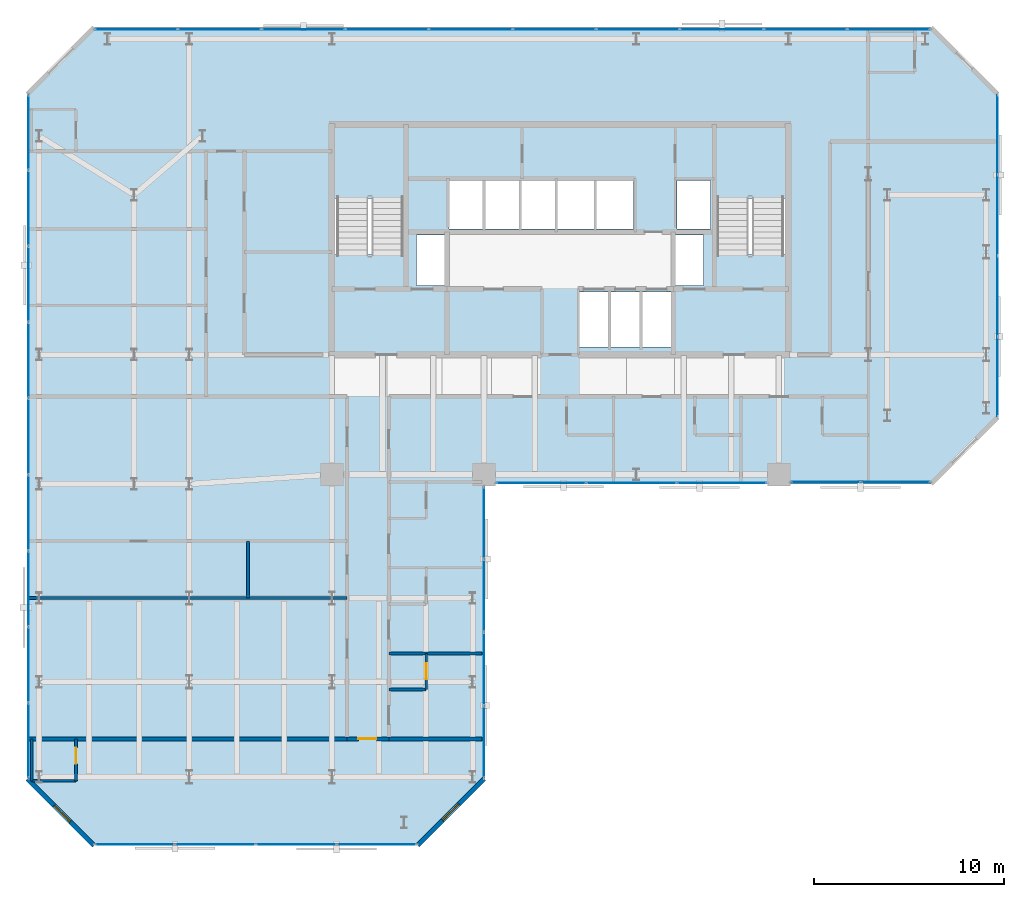
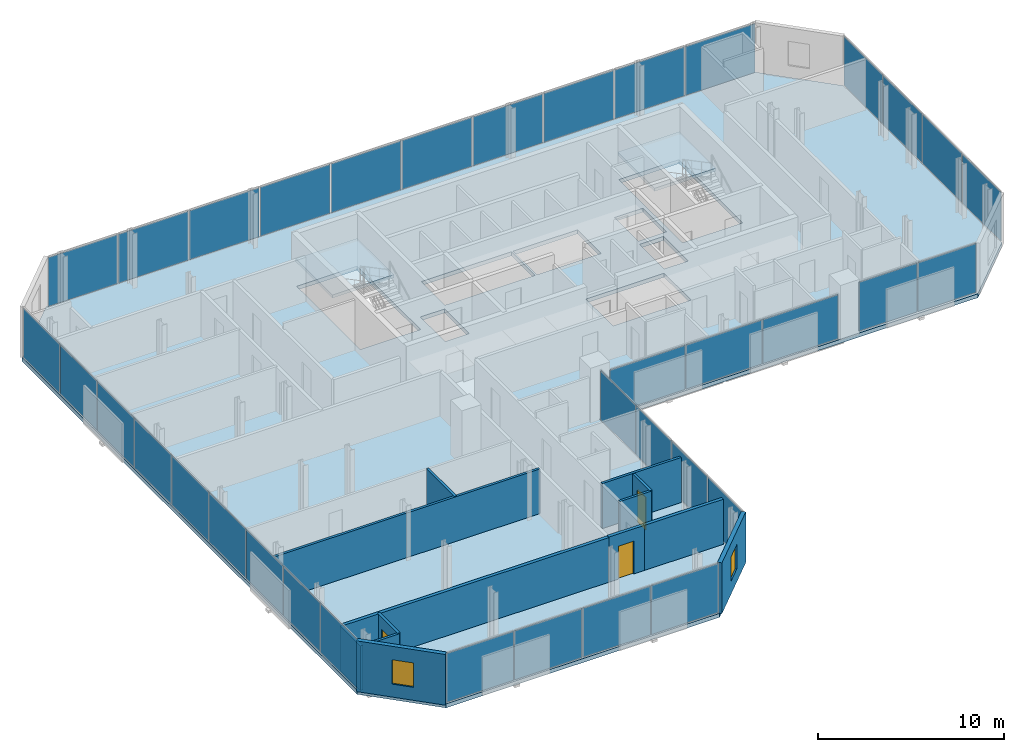
# One storey, part 27 of 32: 36 plates, 13 walls, 3 doors, 3 slabs, 2 windows, 5 openings, 9 elements without a shape of their own.
"""IFC4 building model written with IfcOpenShell, lengths in metres."""

from ifc_helpers import new_model, si_unit, direction, frame, frame_2d, origin, origin_2d, place, context, subcontext, project, spatial, polyline, rectangle, outline, extrude, material, layer, layer_set, type_object, element, fill, aggregate, save


model = new_model("IFC4")

# Units and contexts
model_context = context("Model", 3, precision=1e-05, world=origin(), true_north=direction((0.0, 1.0)))
body_context = subcontext(model_context, "Body", "Model", "MODEL_VIEW")
ifc_project = project(units=[si_unit("LENGTHUNIT", "METRE"), si_unit("AREAUNIT", "SQUARE_METRE"), si_unit("VOLUMEUNIT", "CUBIC_METRE"), si_unit("PLANEANGLEUNIT", "RADIAN"), si_unit("MASSUNIT", "GRAM", prefix="KILO")], contexts=[model_context])

# Site, building, storey
site_placement = place(None, origin())
site = spatial("IfcSite", under=ifc_project, at=site_placement, CompositionType="ELEMENT")
building_placement = place(site_placement, origin())
building = spatial("IfcBuilding", under=site, at=building_placement, Name="Catumbela Crestline Tower", CompositionType="ELEMENT")
storey_placement = place(building_placement, frame((0.0, 0.0, 133.2)))
storey = spatial("IfcBuildingStorey", under=building, at=storey_placement, Name="L34", CompositionType="ELEMENT", Elevation=133.2)

# Curtain wall, plates
ifc_material_1 = material(Name="Aluminium alloy AW-6060-T66", Category="aluminium")
ifc_layer_1 = layer(ifc_material_1, 0.18, Name="Aluminium alloy AW-6060-T66")
ifc_layer_set_1 = layer_set([ifc_layer_1], Name="Aluminium alloy AW-6060-T66")
curtain_wall_type = type_object("IfcCurtainWallType", Name="CWU-Z2", PredefinedType="USERDEFINED", material=ifc_layer_set_1)
curtain_wall_1_placement = place(storey_placement, origin())
curtain_wall_1 = element("IfcCurtainWall", 1, at=curtain_wall_1_placement, inside=storey, type_object=curtain_wall_type, Name="L34 Unitised Curtain Wall CW-L34-E0S1", ObjectType="UNITISED", PredefinedType="USERDEFINED")
ifc_material_2 = material(Name="Low-E laminated solar-control double glazing", Category="glass")
ifc_layer_2 = layer(ifc_material_2, 0.036, Name="Low-E laminated solar-control double glazing")
ifc_layer_set_2 = layer_set([ifc_layer_2], Name="Low-E laminated solar-control double glazing")
plate_type = type_object("IfcPlateType", Name="PNL-GLZ-Z2", PredefinedType="CURTAIN_PANEL", material=ifc_layer_set_2)
plate_1_placement = place(storey_placement, frame((5.6412, 5.05, 0.06), z_axis=(0.0, 0.0, 1.0), x_axis=(1.0, 0.0, 0.0)))
plate_1 = element("IfcPlate", 2, at=plate_1_placement, type_object=plate_type, Name="CWU-Z2 panel 1.1", PredefinedType="CURTAIN_PANEL", context=body_context, shape_type="SweptSolid", body=[
    extrude(rectangle(XDim=4.1525, YDim=0.034, at=origin_2d()), origin(), (0.0, 0.0, 1.0), 3.21),
])
plate_2_placement = place(storey_placement, frame((9.875, 5.05, 0.06), z_axis=(0.0, 0.0, 1.0), x_axis=(1.0, 0.0, 0.0)))
plate_2 = element("IfcPlate", 3, at=plate_2_placement, type_object=plate_type, Name="CWU-Z2 panel 2.1", PredefinedType="CURTAIN_PANEL", context=body_context, shape_type="SweptSolid", body=[
    extrude(rectangle(XDim=4.185, YDim=0.034, at=origin_2d()), origin(), (0.0, 0.0, 1.0), 3.21),
])
plate_3_placement = place(storey_placement, frame((14.125, 5.05, 0.06), z_axis=(0.0, 0.0, 1.0), x_axis=(1.0, 0.0, 0.0)))
plate_3 = element("IfcPlate", 4, at=plate_3_placement, type_object=plate_type, Name="CWU-Z2 panel 3.1", PredefinedType="CURTAIN_PANEL", context=body_context, shape_type="SweptSolid", body=[
    extrude(rectangle(XDim=4.185, YDim=0.034, at=origin_2d()), origin(), (0.0, 0.0, 1.0), 3.21),
])
plate_4_placement = place(storey_placement, frame((18.3588, 5.05, 0.06), z_axis=(0.0, 0.0, 1.0), x_axis=(1.0, 0.0, 0.0)))
plate_4 = element("IfcPlate", 5, at=plate_4_placement, type_object=plate_type, Name="CWU-Z2 panel 4.1", PredefinedType="CURTAIN_PANEL", context=body_context, shape_type="SweptSolid", body=[
    extrude(rectangle(XDim=4.1525, YDim=0.034, at=origin_2d()), origin(), (0.0, 0.0, 1.0), 3.21),
])
aggregate(curtain_wall_1, [plate_1, plate_2, plate_3, plate_4])

curtain_wall_2_placement = place(storey_placement, origin())
curtain_wall_2 = element("IfcCurtainWall", 6, at=curtain_wall_2_placement, inside=storey, type_object=curtain_wall_type, Name="L34 Unitised Curtain Wall CW-L34-E2S1", ObjectType="UNITISED", PredefinedType="USERDEFINED")
plate_5_placement = place(storey_placement, frame((24.0, 10.4412, 0.06), z_axis=(0.0, 0.0, 1.0), x_axis=(0.0, 1.0, 0.0)))
plate_5 = element("IfcPlate", 7, at=plate_5_placement, type_object=plate_type, Name="CWU-Z2 panel 1.1", PredefinedType="CURTAIN_PANEL", context=body_context, shape_type="SweptSolid", body=[
    extrude(rectangle(XDim=3.7525, YDim=0.034, at=origin_2d()), origin(), (0.0, 0.0, 1.0), 3.21),
])
plate_6_placement = place(storey_placement, frame((24.0, 14.275, 0.06), z_axis=(0.0, 0.0, 1.0), x_axis=(0.0, 1.0, 0.0)))
plate_6 = element("IfcPlate", 8, at=plate_6_placement, type_object=plate_type, Name="CWU-Z2 panel 2.1", PredefinedType="CURTAIN_PANEL", context=body_context, shape_type="SweptSolid", body=[
    extrude(rectangle(XDim=3.785, YDim=0.034, at=origin_2d()), origin(), (0.0, 0.0, 1.0), 3.21),
])
plate_7_placement = place(storey_placement, frame((24.0, 18.125, 0.06), z_axis=(0.0, 0.0, 1.0), x_axis=(0.0, 1.0, 0.0)))
plate_7 = element("IfcPlate", 9, at=plate_7_placement, type_object=plate_type, Name="CWU-Z2 panel 3.1", PredefinedType="CURTAIN_PANEL", context=body_context, shape_type="SweptSolid", body=[
    extrude(rectangle(XDim=3.785, YDim=0.034, at=origin_2d()), origin(), (0.0, 0.0, 1.0), 3.21),
])
plate_8_placement = place(storey_placement, frame((24.0, 21.9587, 0.06), z_axis=(0.0, 0.0, 1.0), x_axis=(0.0, 1.0, 0.0)))
plate_8 = element("IfcPlate", 10, at=plate_8_placement, type_object=plate_type, Name="CWU-Z2 panel 4.1", PredefinedType="CURTAIN_PANEL", context=body_context, shape_type="SweptSolid", body=[
    extrude(rectangle(XDim=3.7525, YDim=0.034, at=origin_2d()), origin(), (0.0, 0.0, 1.0), 3.21),
])
aggregate(curtain_wall_2, [plate_5, plate_6, plate_7, plate_8])

curtain_wall_3_placement = place(storey_placement, origin())
curtain_wall_3 = element("IfcCurtainWall", 11, at=curtain_wall_3_placement, inside=storey, type_object=curtain_wall_type, Name="L34 Unitised Curtain Wall CW-L34-E3S1", ObjectType="UNITISED", PredefinedType="USERDEFINED")
plate_9_placement = place(storey_placement, frame((26.9996, 24.05, 0.06), z_axis=(0.0, 0.0, 1.0), x_axis=(1.0, 0.0, 0.0)))
plate_9 = element("IfcPlate", 12, at=plate_9_placement, type_object=plate_type, Name="CWU-Z2 panel 1.1", PredefinedType="CURTAIN_PANEL", context=body_context, shape_type="SweptSolid", body=[
    extrude(rectangle(XDim=4.6692, YDim=0.034, at=origin_2d()), origin(), (0.0, 0.0, 1.0), 2.89),
])
plate_10_placement = place(storey_placement, frame((31.75, 24.05, 0.06), z_axis=(0.0, 0.0, 1.0), x_axis=(1.0, 0.0, 0.0)))
plate_10 = element("IfcPlate", 13, at=plate_10_placement, type_object=plate_type, Name="CWU-Z2 panel 2.1", PredefinedType="CURTAIN_PANEL", context=body_context, shape_type="SweptSolid", body=[
    extrude(rectangle(XDim=4.7017, YDim=0.034, at=origin_2d()), origin(), (0.0, 0.0, 1.0), 2.89),
])
plate_11_placement = place(storey_placement, frame((36.5004, 24.05, 0.06), z_axis=(0.0, 0.0, 1.0), x_axis=(1.0, 0.0, 0.0)))
plate_11 = element("IfcPlate", 14, at=plate_11_placement, type_object=plate_type, Name="CWU-Z2 panel 3.1", PredefinedType="CURTAIN_PANEL", context=body_context, shape_type="SweptSolid", body=[
    extrude(rectangle(XDim=4.6692, YDim=0.034, at=origin_2d()), origin(), (0.0, 0.0, 1.0), 2.89),
])
aggregate(curtain_wall_3, [plate_9, plate_10, plate_11])

curtain_wall_4_placement = place(storey_placement, origin())
curtain_wall_4 = element("IfcCurtainWall", 15, at=curtain_wall_4_placement, inside=storey, type_object=curtain_wall_type, Name="L34 Unitised Curtain Wall CW-L34-E3S2", ObjectType="UNITISED", PredefinedType="USERDEFINED")
plate_12_placement = place(storey_placement, frame((41.9662, 24.1, 0.06), z_axis=(0.0, 0.0, 1.0), x_axis=(1.0, 0.0, 0.0)))
plate_12 = element("IfcPlate", 16, at=plate_12_placement, type_object=plate_type, Name="CWU-Z2 panel 1.1", PredefinedType="CURTAIN_PANEL", context=body_context, shape_type="SweptSolid", body=[
    extrude(rectangle(XDim=3.6025, YDim=0.034, at=origin_2d()), origin(), (0.0, 0.0, 1.0), 3.21),
])
plate_13_placement = place(storey_placement, frame((45.6338, 24.1, 0.06), z_axis=(0.0, 0.0, 1.0), x_axis=(1.0, 0.0, 0.0)))
plate_13 = element("IfcPlate", 17, at=plate_13_placement, type_object=plate_type, Name="CWU-Z2 panel 2.1", PredefinedType="CURTAIN_PANEL", context=body_context, shape_type="SweptSolid", body=[
    extrude(rectangle(XDim=3.6025, YDim=0.034, at=origin_2d()), origin(), (0.0, 0.0, 1.0), 3.21),
])
aggregate(curtain_wall_4, [plate_12, plate_13])

curtain_wall_5_placement = place(storey_placement, origin())
curtain_wall_5 = element("IfcCurtainWall", 18, at=curtain_wall_5_placement, inside=storey, type_object=curtain_wall_type, Name="L34 Unitised Curtain Wall CW-L34-E5S1", ObjectType="UNITISED", PredefinedType="USERDEFINED")
plate_14_placement = place(storey_placement, frame((51.0, 29.6412, 0.06), z_axis=(0.0, 0.0, 1.0), x_axis=(0.0, 1.0, 0.0)))
plate_14 = element("IfcPlate", 19, at=plate_14_placement, type_object=plate_type, Name="CWU-Z2 panel 1.1", PredefinedType="CURTAIN_PANEL", context=body_context, shape_type="SweptSolid", body=[
    extrude(rectangle(XDim=4.1525, YDim=0.034, at=origin_2d()), origin(), (0.0, 0.0, 1.0), 3.21),
])
plate_15_placement = place(storey_placement, frame((51.0, 33.875, 0.06), z_axis=(0.0, 0.0, 1.0), x_axis=(0.0, 1.0, 0.0)))
plate_15 = element("IfcPlate", 20, at=plate_15_placement, type_object=plate_type, Name="CWU-Z2 panel 2.1", PredefinedType="CURTAIN_PANEL", context=body_context, shape_type="SweptSolid", body=[
    extrude(rectangle(XDim=4.185, YDim=0.034, at=origin_2d()), origin(), (0.0, 0.0, 1.0), 3.21),
])
plate_16_placement = place(storey_placement, frame((51.0, 38.125, 0.06), z_axis=(0.0, 0.0, 1.0), x_axis=(0.0, 1.0, 0.0)))
plate_16 = element("IfcPlate", 21, at=plate_16_placement, type_object=plate_type, Name="CWU-Z2 panel 3.1", PredefinedType="CURTAIN_PANEL", context=body_context, shape_type="SweptSolid", body=[
    extrude(rectangle(XDim=4.185, YDim=0.034, at=origin_2d()), origin(), (0.0, 0.0, 1.0), 3.21),
])
plate_17_placement = place(storey_placement, frame((51.0, 42.3588, 0.06), z_axis=(0.0, 0.0, 1.0), x_axis=(0.0, 1.0, 0.0)))
plate_17 = element("IfcPlate", 22, at=plate_17_placement, type_object=plate_type, Name="CWU-Z2 panel 4.1", PredefinedType="CURTAIN_PANEL", context=body_context, shape_type="SweptSolid", body=[
    extrude(rectangle(XDim=4.1525, YDim=0.034, at=origin_2d()), origin(), (0.0, 0.0, 1.0), 3.21),
])
aggregate(curtain_wall_5, [plate_14, plate_15, plate_16, plate_17])

curtain_wall_6_placement = place(storey_placement, origin())
curtain_wall_6 = element("IfcCurtainWall", 23, at=curtain_wall_6_placement, inside=storey, type_object=curtain_wall_type, Name="L34 Unitised Curtain Wall CW-L34-E7S1", ObjectType="UNITISED", PredefinedType="USERDEFINED")
plate_18_placement = place(storey_placement, frame((45.2838, 47.9, 0.06), z_axis=(0.0, 0.0, 1.0), x_axis=(-1.0, 0.0, 0.0)))
plate_18 = element("IfcPlate", 24, at=plate_18_placement, type_object=plate_type, Name="CWU-Z2 panel 1.1", PredefinedType="CURTAIN_PANEL", context=body_context, shape_type="SweptSolid", body=[
    extrude(rectangle(XDim=4.3025, YDim=0.034, at=origin_2d()), origin(), (0.0, 0.0, 1.0), 3.21),
])
plate_19_placement = place(storey_placement, frame((40.9, 47.9, 0.06), z_axis=(0.0, 0.0, 1.0), x_axis=(-1.0, 0.0, 0.0)))
plate_19 = element("IfcPlate", 25, at=plate_19_placement, type_object=plate_type, Name="CWU-Z2 panel 2.1", PredefinedType="CURTAIN_PANEL", context=body_context, shape_type="SweptSolid", body=[
    extrude(rectangle(XDim=4.335, YDim=0.034, at=origin_2d()), origin(), (0.0, 0.0, 1.0), 3.21),
])
plate_20_placement = place(storey_placement, frame((36.5, 47.9, 0.06), z_axis=(0.0, 0.0, 1.0), x_axis=(-1.0, 0.0, 0.0)))
plate_20 = element("IfcPlate", 26, at=plate_20_placement, type_object=plate_type, Name="CWU-Z2 panel 3.1", PredefinedType="CURTAIN_PANEL", context=body_context, shape_type="SweptSolid", body=[
    extrude(rectangle(XDim=4.335, YDim=0.034, at=origin_2d()), origin(), (0.0, 0.0, 1.0), 3.21),
])
plate_21_placement = place(storey_placement, frame((32.1, 47.9, 0.06), z_axis=(0.0, 0.0, 1.0), x_axis=(-1.0, 0.0, 0.0)))
plate_21 = element("IfcPlate", 27, at=plate_21_placement, type_object=plate_type, Name="CWU-Z2 panel 4.1", PredefinedType="CURTAIN_PANEL", context=body_context, shape_type="SweptSolid", body=[
    extrude(rectangle(XDim=4.335, YDim=0.034, at=origin_2d()), origin(), (0.0, 0.0, 1.0), 3.21),
])
plate_22_placement = place(storey_placement, frame((27.7, 47.9, 0.06), z_axis=(0.0, 0.0, 1.0), x_axis=(-1.0, 0.0, 0.0)))
plate_22 = element("IfcPlate", 28, at=plate_22_placement, type_object=plate_type, Name="CWU-Z2 panel 5.1", PredefinedType="CURTAIN_PANEL", context=body_context, shape_type="SweptSolid", body=[
    extrude(rectangle(XDim=4.335, YDim=0.034, at=origin_2d()), origin(), (0.0, 0.0, 1.0), 3.21),
])
plate_23_placement = place(storey_placement, frame((23.3, 47.9, 0.06), z_axis=(0.0, 0.0, 1.0), x_axis=(-1.0, 0.0, 0.0)))
plate_23 = element("IfcPlate", 29, at=plate_23_placement, type_object=plate_type, Name="CWU-Z2 panel 6.1", PredefinedType="CURTAIN_PANEL", context=body_context, shape_type="SweptSolid", body=[
    extrude(rectangle(XDim=4.335, YDim=0.034, at=origin_2d()), origin(), (0.0, 0.0, 1.0), 3.21),
])
plate_24_placement = place(storey_placement, frame((18.9, 47.9, 0.06), z_axis=(0.0, 0.0, 1.0), x_axis=(-1.0, 0.0, 0.0)))
plate_24 = element("IfcPlate", 30, at=plate_24_placement, type_object=plate_type, Name="CWU-Z2 panel 7.1", PredefinedType="CURTAIN_PANEL", context=body_context, shape_type="SweptSolid", body=[
    extrude(rectangle(XDim=4.335, YDim=0.034, at=origin_2d()), origin(), (0.0, 0.0, 1.0), 3.21),
])
plate_25_placement = place(storey_placement, frame((14.5, 47.9, 0.06), z_axis=(0.0, 0.0, 1.0), x_axis=(-1.0, 0.0, 0.0)))
plate_25 = element("IfcPlate", 31, at=plate_25_placement, type_object=plate_type, Name="CWU-Z2 panel 8.1", PredefinedType="CURTAIN_PANEL", context=body_context, shape_type="SweptSolid", body=[
    extrude(rectangle(XDim=4.335, YDim=0.034, at=origin_2d()), origin(), (0.0, 0.0, 1.0), 3.21),
])
plate_26_placement = place(storey_placement, frame((10.1, 47.9, 0.06), z_axis=(0.0, 0.0, 1.0), x_axis=(-1.0, 0.0, 0.0)))
plate_26 = element("IfcPlate", 32, at=plate_26_placement, type_object=plate_type, Name="CWU-Z2 panel 9.1", PredefinedType="CURTAIN_PANEL", context=body_context, shape_type="SweptSolid", body=[
    extrude(rectangle(XDim=4.335, YDim=0.034, at=origin_2d()), origin(), (0.0, 0.0, 1.0), 3.21),
])
plate_27_placement = place(storey_placement, frame((5.7162, 47.9, 0.06), z_axis=(0.0, 0.0, 1.0), x_axis=(-1.0, 0.0, 0.0)))
plate_27 = element("IfcPlate", 33, at=plate_27_placement, type_object=plate_type, Name="CWU-Z2 panel 10.1", PredefinedType="CURTAIN_PANEL", context=body_context, shape_type="SweptSolid", body=[
    extrude(rectangle(XDim=4.3025, YDim=0.034, at=origin_2d()), origin(), (0.0, 0.0, 1.0), 3.21),
])
aggregate(curtain_wall_6, [plate_18, plate_19, plate_20, plate_21, plate_22, plate_23, plate_24, plate_25, plate_26, plate_27])

curtain_wall_7_placement = place(storey_placement, origin())
curtain_wall_7 = element("IfcCurtainWall", 34, at=curtain_wall_7_placement, inside=storey, type_object=curtain_wall_type, Name="L34 Unitised Curtain Wall CW-L34-E9S1", ObjectType="UNITISED", PredefinedType="USERDEFINED")
plate_28_placement = place(storey_placement, frame((0.05, 42.4838, 0.06), z_axis=(0.0, 0.0, 1.0), x_axis=(0.0, -1.0, 0.0)))
plate_28 = element("IfcPlate", 35, at=plate_28_placement, type_object=plate_type, Name="CWU-Z2 panel 1.1", PredefinedType="CURTAIN_PANEL", context=body_context, shape_type="SweptSolid", body=[
    extrude(rectangle(XDim=3.9025, YDim=0.034, at=origin_2d()), origin(), (0.0, 0.0, 1.0), 3.21),
])
plate_29_placement = place(storey_placement, frame((0.05, 38.5, 0.06), z_axis=(0.0, 0.0, 1.0), x_axis=(0.0, -1.0, 0.0)))
plate_29 = element("IfcPlate", 36, at=plate_29_placement, type_object=plate_type, Name="CWU-Z2 panel 2.1", PredefinedType="CURTAIN_PANEL", context=body_context, shape_type="SweptSolid", body=[
    extrude(rectangle(XDim=3.935, YDim=0.034, at=origin_2d()), origin(), (0.0, 0.0, 1.0), 3.21),
])
plate_30_placement = place(storey_placement, frame((0.05, 34.5, 0.06), z_axis=(0.0, 0.0, 1.0), x_axis=(0.0, -1.0, 0.0)))
plate_30 = element("IfcPlate", 37, at=plate_30_placement, type_object=plate_type, Name="CWU-Z2 panel 3.1", PredefinedType="CURTAIN_PANEL", context=body_context, shape_type="SweptSolid", body=[
    extrude(rectangle(XDim=3.935, YDim=0.034, at=origin_2d()), origin(), (0.0, 0.0, 1.0), 3.21),
])
plate_31_placement = place(storey_placement, frame((0.05, 30.5, 0.06), z_axis=(0.0, 0.0, 1.0), x_axis=(0.0, -1.0, 0.0)))
plate_31 = element("IfcPlate", 38, at=plate_31_placement, type_object=plate_type, Name="CWU-Z2 panel 4.1", PredefinedType="CURTAIN_PANEL", context=body_context, shape_type="SweptSolid", body=[
    extrude(rectangle(XDim=3.935, YDim=0.034, at=origin_2d()), origin(), (0.0, 0.0, 1.0), 3.21),
])
plate_32_placement = place(storey_placement, frame((0.05, 26.5, 0.06), z_axis=(0.0, 0.0, 1.0), x_axis=(0.0, -1.0, 0.0)))
plate_32 = element("IfcPlate", 39, at=plate_32_placement, type_object=plate_type, Name="CWU-Z2 panel 5.1", PredefinedType="CURTAIN_PANEL", context=body_context, shape_type="SweptSolid", body=[
    extrude(rectangle(XDim=3.935, YDim=0.034, at=origin_2d()), origin(), (0.0, 0.0, 1.0), 3.21),
])
plate_33_placement = place(storey_placement, frame((0.05, 22.5, 0.06), z_axis=(0.0, 0.0, 1.0), x_axis=(0.0, -1.0, 0.0)))
plate_33 = element("IfcPlate", 40, at=plate_33_placement, type_object=plate_type, Name="CWU-Z2 panel 6.1", PredefinedType="CURTAIN_PANEL", context=body_context, shape_type="SweptSolid", body=[
    extrude(rectangle(XDim=3.935, YDim=0.034, at=origin_2d()), origin(), (0.0, 0.0, 1.0), 3.21),
])
plate_34_placement = place(storey_placement, frame((0.05, 18.5, 0.06), z_axis=(0.0, 0.0, 1.0), x_axis=(0.0, -1.0, 0.0)))
plate_34 = element("IfcPlate", 41, at=plate_34_placement, type_object=plate_type, Name="CWU-Z2 panel 7.1", PredefinedType="CURTAIN_PANEL", context=body_context, shape_type="SweptSolid", body=[
    extrude(rectangle(XDim=3.935, YDim=0.034, at=origin_2d()), origin(), (0.0, 0.0, 1.0), 3.21),
])
plate_35_placement = place(storey_placement, frame((0.05, 14.5, 0.06), z_axis=(0.0, 0.0, 1.0), x_axis=(0.0, -1.0, 0.0)))
plate_35 = element("IfcPlate", 42, at=plate_35_placement, type_object=plate_type, Name="CWU-Z2 panel 8.1", PredefinedType="CURTAIN_PANEL", context=body_context, shape_type="SweptSolid", body=[
    extrude(rectangle(XDim=3.935, YDim=0.034, at=origin_2d()), origin(), (0.0, 0.0, 1.0), 3.21),
])
plate_36_placement = place(storey_placement, frame((0.05, 10.5162, 0.06), z_axis=(0.0, 0.0, 1.0), x_axis=(0.0, -1.0, 0.0)))
plate_36 = element("IfcPlate", 43, at=plate_36_placement, type_object=plate_type, Name="CWU-Z2 panel 9.1", PredefinedType="CURTAIN_PANEL", context=body_context, shape_type="SweptSolid", body=[
    extrude(rectangle(XDim=3.9025, YDim=0.034, at=origin_2d()), origin(), (0.0, 0.0, 1.0), 3.21),
])
aggregate(curtain_wall_7, [plate_28, plate_29, plate_30, plate_31, plate_32, plate_33, plate_34, plate_35, plate_36])

# Stair, slab
ifc_material_3 = material(Name="Concrete C45/55", Category="concrete")
stair_type = type_object("IfcStairType", Name="ST-DLG", PredefinedType="HALF_TURN_STAIR", material=ifc_material_3)
stair_1_placement = place(storey_placement, origin())
stair_1 = element("IfcStair", 44, at=stair_1_placement, inside=storey, type_object=stair_type, Name="L34 West Core Pressurised Exit Stair ST-01", PredefinedType="HALF_TURN_STAIR")
ifc_layer_3 = layer(ifc_material_3, 0.2, Name="Concrete C45/55")
ifc_layer_set_3 = layer_set([ifc_layer_3], Name="Concrete C45/55")
slab_type_1 = type_object("IfcSlabType", Name="SL-LND", PredefinedType="LANDING", material=ifc_layer_set_3)
slab_1_placement = place(storey_placement, frame((0.0, 0.0, 1.6)))
slab_1 = element("IfcSlab", 45, at=slab_1_placement, type_object=slab_type_1, Name="ST-01 landing 1", PredefinedType="LANDING", context=body_context, shape_type="SweptSolid", body=[
    extrude(outline(polyline([(19.91, 39.02), (19.91, 42.96), (16.09, 42.96), (16.09, 39.02), (19.91, 39.02)])), origin(), (0.0, 0.0, 1.0), 0.2),
])
aggregate(stair_1, [slab_1])

stair_2_placement = place(storey_placement, origin())
stair_2 = element("IfcStair", 46, at=stair_2_placement, inside=storey, type_object=stair_type, Name="L34 East Core Pressurised Exit Stair ST-02", PredefinedType="HALF_TURN_STAIR")
slab_2_placement = place(storey_placement, frame((0.0, 0.0, 1.6)))
slab_2 = element("IfcSlab", 47, at=slab_2_placement, type_object=slab_type_1, Name="ST-02 landing 1", PredefinedType="LANDING", context=body_context, shape_type="SweptSolid", body=[
    extrude(outline(polyline([(39.91, 39.02), (39.91, 42.96), (36.09, 42.96), (36.09, 39.02), (39.91, 39.02)])), origin(), (0.0, 0.0, 1.0), 0.2),
])
aggregate(stair_2, [slab_2])

# Slab
ifc_layer_4 = layer(ifc_material_3, 0.26, Name="Concrete C45/55")
ifc_layer_set_4 = layer_set([ifc_layer_4], Name="Concrete C45/55")
slab_type_2 = type_object("IfcSlabType", Name="SL-260", PredefinedType="FLOOR", material=ifc_layer_set_4)
slab_3_placement = place(storey_placement, frame((0.0, 0.0, -0.26)))
element("IfcSlab", 48, at=slab_3_placement, inside=storey, type_object=slab_type_2, Name="L34 Structural Floor Slab", PredefinedType="FLOOR", context=body_context, shape_type="SweptSolid", body=[
    extrude(outline(polyline([(3.5, 5.0), (20.5, 5.0), (24.0, 8.5), (24.0, 24.0), (47.5, 24.0), (51.0, 27.5), (51.0, 44.5), (47.5, 48.0), (3.5, 48.0), (0.0, 44.5), (0.0, 8.5), (3.5, 5.0)]), holes=[polyline([(16.13, 36.08), (19.87, 36.08), (19.87, 42.92), (16.13, 42.92), (16.13, 36.08)]), polyline([(36.13, 36.08), (39.87, 36.08), (39.87, 42.92), (36.13, 42.92), (36.13, 36.08)]), polyline([(29.0, 31.2), (33.85, 31.2), (33.85, 34.1), (29.0, 34.1), (29.0, 31.2)]), polyline([(22.15, 37.4), (27.75, 37.4), (27.75, 39.95), (22.15, 39.95), (22.15, 37.4)]), polyline([(27.85, 37.4), (31.85, 37.4), (31.85, 39.95), (27.85, 39.95), (27.85, 37.4)]), polyline([(20.45, 34.45), (21.95, 34.45), (21.95, 37.1), (20.45, 37.1), (20.45, 34.45)]), polyline([(34.05, 34.45), (35.55, 34.45), (35.55, 37.1), (34.05, 37.1), (34.05, 34.45)]), polyline([(34.15, 37.4), (35.9, 37.4), (35.9, 39.95), (34.15, 39.95), (34.15, 37.4)])]), origin(), (0.0, 0.0, 1.0), 0.26),
])

# Wall, opening, door
ifc_material_4 = material(Name="Acoustic gypsum and mineral-wool partition")
ifc_layer_5 = layer(ifc_material_4, 0.2, Name="Acoustic gypsum and mineral-wool partition")
ifc_layer_set_5 = layer_set([ifc_layer_5], Name="Acoustic gypsum and mineral-wool partition")
wall_type_1 = type_object("IfcWallType", Name="WC-200", PredefinedType="PARTITIONING", material=ifc_layer_set_5)
wall_1_placement = place(storey_placement, frame((16.8, 10.6, 0.0), z_axis=(0.0, 0.0, 1.0), x_axis=(1.0, 0.0, 0.0)))
wall_1 = element("IfcWall", 49, at=wall_1_placement, inside=storey, type_object=wall_type_1, Name="L34 Interior Partition PW-L34-STIP-ENT", PredefinedType="PARTITIONING", context=body_context, shape_type="SweptSolid", body=[
    extrude(rectangle(XDim=2.2, YDim=0.2, at=frame_2d((1.1, 0.0))), origin(), (0.0, 0.0, 1.0), 2.96),
])
opening_1_placement = place(wall_1_placement, frame((0.5925, 0.0, 0.0)))
opening_1 = element("IfcOpeningElement", 50, at=opening_1_placement, cuts=wall_1, Name="Opening DF6-095", PredefinedType="OPENING", context=body_context, shape_type="SweptSolid", body=[
    extrude(rectangle(XDim=0.95, YDim=2.15, at=frame_2d((0.475, 1.075))), frame((0.0, 0.11, 0.0), z_axis=(0.0, -1.0, 0.0), x_axis=(1.0, 0.0, 0.0)), (0.0, 0.0, 1.0), 0.22),
])
door_type_1 = type_object("IfcDoorType", Name="DF6-095", OperationType="NOTDEFINED", PredefinedType="DOOR", material=ifc_material_1)
door_1_placement = place(opening_1_placement, origin())
door_1 = element("IfcDoor", 51, at=door_1_placement, inside=storey, type_object=door_type_1, Name="L34 Interior Door DR-L34-STIP-ENT", OperationType="SINGLE_SWING_LEFT", OverallHeight=2.15, OverallWidth=0.95, PredefinedType="DOOR", context=body_context, shape_type="SweptSolid", body=[
    extrude(rectangle(XDim=0.95, YDim=2.15, at=frame_2d((0.475, 1.075))), frame((0.0, 0.025, 0.0), z_axis=(0.0, -1.0, 0.0), x_axis=(1.0, 0.0, 0.0)), (0.0, 0.0, 1.0), 0.05),
])
fill(opening_1, door_1)

# Wall, opening, window
ifc_material_5 = material(Name="Angolan grey-ochre granite", Category="masonry")
ifc_layer_6 = layer(ifc_material_5, 0.25, Name="Angolan grey-ochre granite")
ifc_layer_set_6 = layer_set([ifc_layer_6], Name="Angolan grey-ochre granite")
wall_type_2 = type_object("IfcWallType", Name="WE-250", PredefinedType="STANDARD", material=ifc_layer_set_6)
wall_2_placement = place(storey_placement, frame((20.5, 5.0, 0.0), z_axis=(0.0, 0.0, 1.0), x_axis=(0.707106781187, 0.707106781187, 0.0)))
wall_2 = element("IfcWall", 52, at=wall_2_placement, inside=storey, type_object=wall_type_2, Name="L34 Granite Punched Window Wall 1-1", PredefinedType="STANDARD", context=body_context, shape_type="SweptSolid", body=[
    extrude(rectangle(XDim=4.9497, YDim=0.25, at=frame_2d((2.4748, 0.0))), origin(), (0.0, 0.0, 1.0), 3.33),
])
opening_2_placement = place(wall_2_placement, frame((1.8748, 0.0, 0.85)))
opening_2 = element("IfcOpeningElement", 53, at=opening_2_placement, cuts=wall_2, Name="Opening WN-02", PredefinedType="OPENING", context=body_context, shape_type="SweptSolid", body=[
    extrude(rectangle(XDim=1.2, YDim=1.6, at=frame_2d((0.6, 0.8))), frame((0.0, 0.135, 0.0), z_axis=(0.0, -1.0, 0.0), x_axis=(1.0, 0.0, 0.0)), (0.0, 0.0, 1.0), 0.27),
])
window_type = type_object("IfcWindowType", Name="WO-1200", PartitioningType="SINGLE_PANEL", PredefinedType="WINDOW", material=ifc_material_2)
window_1_placement = place(opening_2_placement, origin())
window_1 = element("IfcWindow", 54, at=window_1_placement, inside=storey, type_object=window_type, Name="L34 Facade Vision Window 190", OverallHeight=1.6, OverallWidth=1.2, PartitioningType="SINGLE_PANEL", PredefinedType="WINDOW", context=body_context, shape_type="SweptSolid", body=[
    extrude(rectangle(XDim=1.2, YDim=1.6, at=frame_2d((0.6, 0.8))), frame((0.0, 0.03, 0.0), z_axis=(0.0, -1.0, 0.0), x_axis=(1.0, 0.0, 0.0)), (0.0, 0.0, 1.0), 0.06),
])
fill(opening_2, window_1)

wall_3_placement = place(storey_placement, frame((0.0, 8.5, 0.0), z_axis=(0.0, 0.0, 1.0), x_axis=(0.707106781187, -0.707106781187, 0.0)))
wall_3 = element("IfcWall", 55, at=wall_3_placement, inside=storey, type_object=wall_type_2, Name="L34 Granite Punched Window Wall 10-1", PredefinedType="STANDARD", context=body_context, shape_type="SweptSolid", body=[
    extrude(rectangle(XDim=4.9497, YDim=0.25, at=frame_2d((2.4748, 0.0))), origin(), (0.0, 0.0, 1.0), 3.33),
])
opening_3_placement = place(wall_3_placement, frame((1.9851, 0.0, 0.85)))
opening_3 = element("IfcOpeningElement", 56, at=opening_3_placement, cuts=wall_3, Name="Opening WN-02", PredefinedType="OPENING", context=body_context, shape_type="SweptSolid", body=[
    extrude(rectangle(XDim=1.2, YDim=1.6, at=frame_2d((0.6, 0.8))), frame((0.0, 0.135, 0.0), z_axis=(0.0, -1.0, 0.0), x_axis=(1.0, 0.0, 0.0)), (0.0, 0.0, 1.0), 0.27),
])
window_2_placement = place(opening_3_placement, origin())
window_2 = element("IfcWindow", 57, at=window_2_placement, inside=storey, type_object=window_type, Name="L34 Facade Vision Window 194", OverallHeight=1.6, OverallWidth=1.2, PartitioningType="SINGLE_PANEL", PredefinedType="WINDOW", context=body_context, shape_type="SweptSolid", body=[
    extrude(rectangle(XDim=1.2, YDim=1.6, at=frame_2d((0.6, 0.8))), frame((0.0, 0.03, 0.0), z_axis=(0.0, -1.0, 0.0), x_axis=(1.0, 0.0, 0.0)), (0.0, 0.0, 1.0), 0.06),
])
fill(opening_3, window_2)

# Walls
ifc_layer_7 = layer(ifc_material_4, 0.15, Name="Acoustic gypsum and mineral-wool partition")
ifc_layer_set_7 = layer_set([ifc_layer_7], Name="Acoustic gypsum and mineral-wool partition")
wall_type_3 = type_object("IfcWallType", Name="WP-150", PredefinedType="PARTITIONING", material=ifc_layer_set_7)
wall_4_placement = place(storey_placement, frame((0.1, 18.0, 0.0), z_axis=(0.0, 0.0, 1.0), x_axis=(1.0, 0.0, 0.0)))
element("IfcWall", 58, at=wall_4_placement, inside=storey, type_object=wall_type_3, Name="L34 Interior Partition PW-L34-Z2W-1", PredefinedType="PARTITIONING", context=body_context, shape_type="SweptSolid", body=[
    extrude(rectangle(XDim=16.7, YDim=0.15, at=frame_2d((8.35, 0.0))), origin(), (0.0, 0.0, 1.0), 2.93),
])
wall_5_placement = place(storey_placement, frame((11.6, 18.0, 0.0), z_axis=(0.0, 0.0, 1.0), x_axis=(0.0, 1.0, 0.0)))
element("IfcWall", 59, at=wall_5_placement, inside=storey, type_object=wall_type_3, Name="L34 Interior Partition PW-L34-Z2W-WCX", PredefinedType="PARTITIONING", context=body_context, shape_type="SweptSolid", body=[
    extrude(rectangle(XDim=3.0, YDim=0.15, at=frame_2d((1.5, 0.0))), origin(), (0.0, 0.0, 1.0), 2.93),
])
wall_6_placement = place(storey_placement, frame((0.2, 8.4, 0.0), z_axis=(0.0, 0.0, 1.0), x_axis=(1.0, 0.0, 0.0)))
element("IfcWall", 60, at=wall_6_placement, inside=storey, type_object=wall_type_3, Name="L34 Interior Partition PW-L34-STIP-BHW", PredefinedType="PARTITIONING", context=body_context, shape_type="SweptSolid", body=[
    extrude(rectangle(XDim=2.35, YDim=0.15, at=frame_2d((1.175, 0.0))), origin(), (0.0, 0.0, 1.0), 2.93),
])

# Wall, opening, door
wall_7_placement = place(storey_placement, frame((2.55, 8.4, 0.0), z_axis=(0.0, 0.0, 1.0), x_axis=(0.0, 1.0, 0.0)))
wall_7 = element("IfcWall", 61, at=wall_7_placement, inside=storey, type_object=wall_type_3, Name="L34 Interior Partition PW-L34-STIP-BEW", PredefinedType="PARTITIONING", context=body_context, shape_type="SweptSolid", body=[
    extrude(rectangle(XDim=2.2, YDim=0.15, at=frame_2d((1.1, 0.0))), origin(), (0.0, 0.0, 1.0), 2.93),
])
opening_4_placement = place(wall_7_placement, frame((0.8925, 0.0, 0.0)))
opening_4 = element("IfcOpeningElement", 62, at=opening_4_placement, cuts=wall_7, Name="Opening DI-085", PredefinedType="OPENING", context=body_context, shape_type="SweptSolid", body=[
    extrude(rectangle(XDim=0.85, YDim=2.15, at=frame_2d((0.425, 1.075))), frame((0.0, 0.085, 0.0), z_axis=(0.0, -1.0, 0.0), x_axis=(1.0, 0.0, 0.0)), (0.0, 0.0, 1.0), 0.17),
])
door_type_2 = type_object("IfcDoorType", Name="DI-085", OperationType="NOTDEFINED", PredefinedType="DOOR", material=ifc_material_1)
door_2_placement = place(opening_4_placement, origin())
door_2 = element("IfcDoor", 63, at=door_2_placement, inside=storey, type_object=door_type_2, Name="L34 Interior Door DR-L34-STIP-BTH", OperationType="SINGLE_SWING_LEFT", OverallHeight=2.15, OverallWidth=0.85, PredefinedType="DOOR", context=body_context, shape_type="SweptSolid", body=[
    extrude(rectangle(XDim=0.85, YDim=2.15, at=frame_2d((0.425, 1.075))), frame((0.0, 0.025, 0.0), z_axis=(0.0, -1.0, 0.0), x_axis=(1.0, 0.0, 0.0)), (0.0, 0.0, 1.0), 0.05),
])
fill(opening_4, door_2)

# Walls
wall_8_placement = place(storey_placement, frame((0.22, 8.38, 0.0), z_axis=(0.0, 0.0, 1.0), x_axis=(0.0, 1.0, 0.0)))
element("IfcWall", 64, at=wall_8_placement, inside=storey, type_object=wall_type_3, Name="L34 Interior Partition PW-L34-STIP-BCL-3", PredefinedType="PARTITIONING", context=body_context, shape_type="SweptSolid", body=[
    extrude(rectangle(XDim=2.22, YDim=0.15, at=frame_2d((1.11, 0.0))), origin(), (0.0, 0.0, 1.0), 2.93),
])
wall_9_placement = place(storey_placement, frame((19.0, 13.2, 0.0), z_axis=(0.0, 0.0, 1.0), x_axis=(1.0, 0.0, 0.0)))
element("IfcWall", 65, at=wall_9_placement, inside=storey, type_object=wall_type_3, Name="L34 Interior Partition PW-L34-SW1-BSW", PredefinedType="PARTITIONING", context=body_context, shape_type="SweptSolid", body=[
    extrude(rectangle(XDim=1.96, YDim=0.15, at=frame_2d((0.98, 0.0))), origin(), (0.0, 0.0, 1.0), 2.93),
])

# Wall, opening, door
wall_10_placement = place(storey_placement, frame((20.96, 13.2, 0.0), z_axis=(0.0, 0.0, 1.0), x_axis=(0.0, 1.0, 0.0)))
wall_10 = element("IfcWall", 66, at=wall_10_placement, inside=storey, type_object=wall_type_3, Name="L34 Interior Partition PW-L34-SW1-BEW", PredefinedType="PARTITIONING", context=body_context, shape_type="SweptSolid", body=[
    extrude(rectangle(XDim=1.9, YDim=0.15, at=frame_2d((0.95, 0.0))), origin(), (0.0, 0.0, 1.0), 2.93),
])
opening_5_placement = place(wall_10_placement, frame((0.525, 0.0, 0.0)))
opening_5 = element("IfcOpeningElement", 67, at=opening_5_placement, cuts=wall_10, Name="Opening DI-085", PredefinedType="OPENING", context=body_context, shape_type="SweptSolid", body=[
    extrude(rectangle(XDim=0.85, YDim=2.15, at=frame_2d((0.425, 1.075))), frame((0.0, 0.085, 0.0), z_axis=(0.0, -1.0, 0.0), x_axis=(1.0, 0.0, 0.0)), (0.0, 0.0, 1.0), 0.17),
])
door_3_placement = place(opening_5_placement, origin())
door_3 = element("IfcDoor", 68, at=door_3_placement, inside=storey, type_object=door_type_2, Name="L34 Interior Door DR-L34-SW1-BTH", OperationType="SINGLE_SWING_LEFT", OverallHeight=2.15, OverallWidth=0.85, PredefinedType="DOOR", context=body_context, shape_type="SweptSolid", body=[
    extrude(rectangle(XDim=0.85, YDim=2.15, at=frame_2d((0.425, 1.075))), frame((0.0, 0.025, 0.0), z_axis=(0.0, -1.0, 0.0), x_axis=(1.0, 0.0, 0.0)), (0.0, 0.0, 1.0), 0.05),
])
fill(opening_5, door_3)

# Walls
wall_11_placement = place(storey_placement, frame((19.0, 15.1, 0.0), z_axis=(0.0, 0.0, 1.0), x_axis=(1.0, 0.0, 0.0)))
element("IfcWall", 69, at=wall_11_placement, inside=storey, type_object=wall_type_3, Name="L34 Interior Partition PW-L34-SW1-BCL-1", PredefinedType="PARTITIONING", context=body_context, shape_type="SweptSolid", body=[
    extrude(rectangle(XDim=4.9, YDim=0.15, at=frame_2d((2.45, 0.0))), origin(), (0.0, 0.0, 1.0), 2.96),
])
ifc_layer_8 = layer(ifc_material_4, 0.2, Name="Acoustic gypsum and mineral-wool partition")
ifc_layer_set_8 = layer_set([ifc_layer_8], Name="Acoustic gypsum and mineral-wool partition")
wall_type_4 = type_object("IfcWallType", Name="WY-200", PredefinedType="PARTITIONING", material=ifc_layer_set_8)
wall_12_placement = place(storey_placement, frame((0.1, 10.6, 0.0), z_axis=(0.0, 0.0, 1.0), x_axis=(1.0, 0.0, 0.0)))
element("IfcWall", 70, at=wall_12_placement, inside=storey, type_object=wall_type_4, Name="L34 Interior Partition PW-L34-STIP-WL", PredefinedType="PARTITIONING", context=body_context, shape_type="SweptSolid", body=[
    extrude(rectangle(XDim=16.7, YDim=0.2, at=frame_2d((8.35, 0.0))), origin(), (0.0, 0.0, 1.0), 2.93),
])
wall_13_placement = place(storey_placement, frame((19.0, 10.6, 0.0), z_axis=(0.0, 0.0, 1.0), x_axis=(1.0, 0.0, 0.0)))
element("IfcWall", 71, at=wall_13_placement, inside=storey, type_object=wall_type_4, Name="L34 Interior Partition PW-L34-STIP-WR", PredefinedType="PARTITIONING", context=body_context, shape_type="SweptSolid", body=[
    extrude(rectangle(XDim=4.9, YDim=0.2, at=frame_2d((2.45, 0.0))), origin(), (0.0, 0.0, 1.0), 2.96),
])

save(model, "model.ifc")
